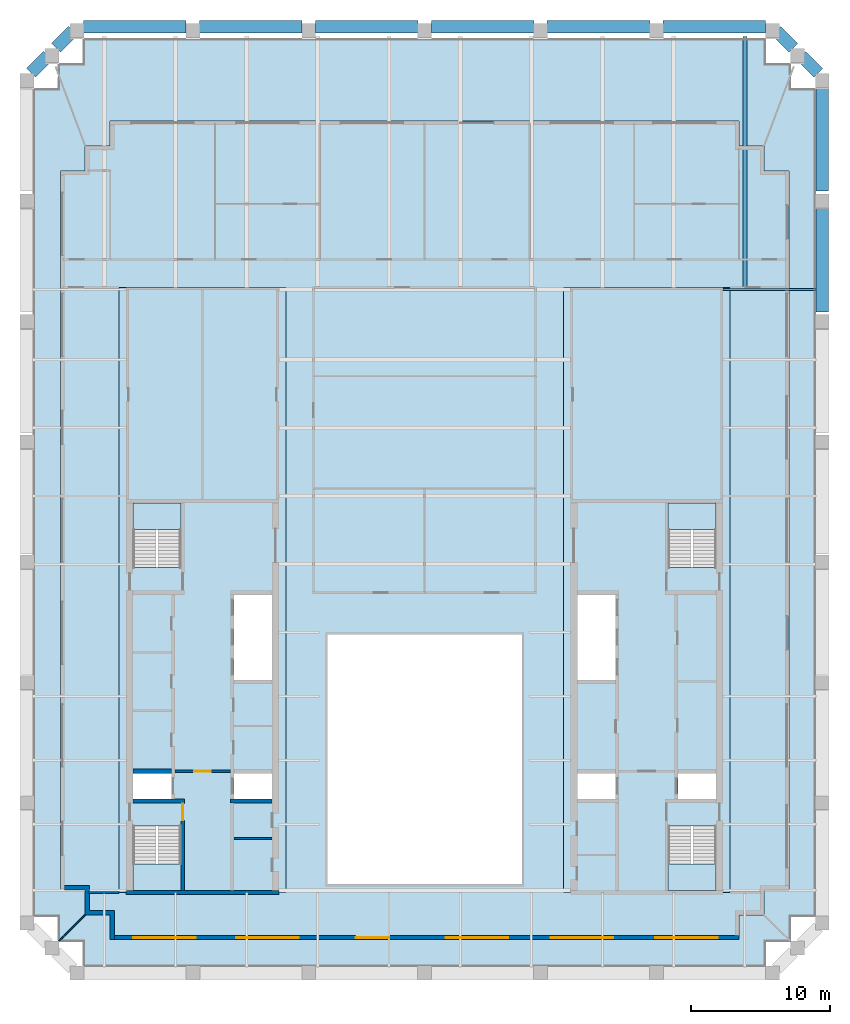
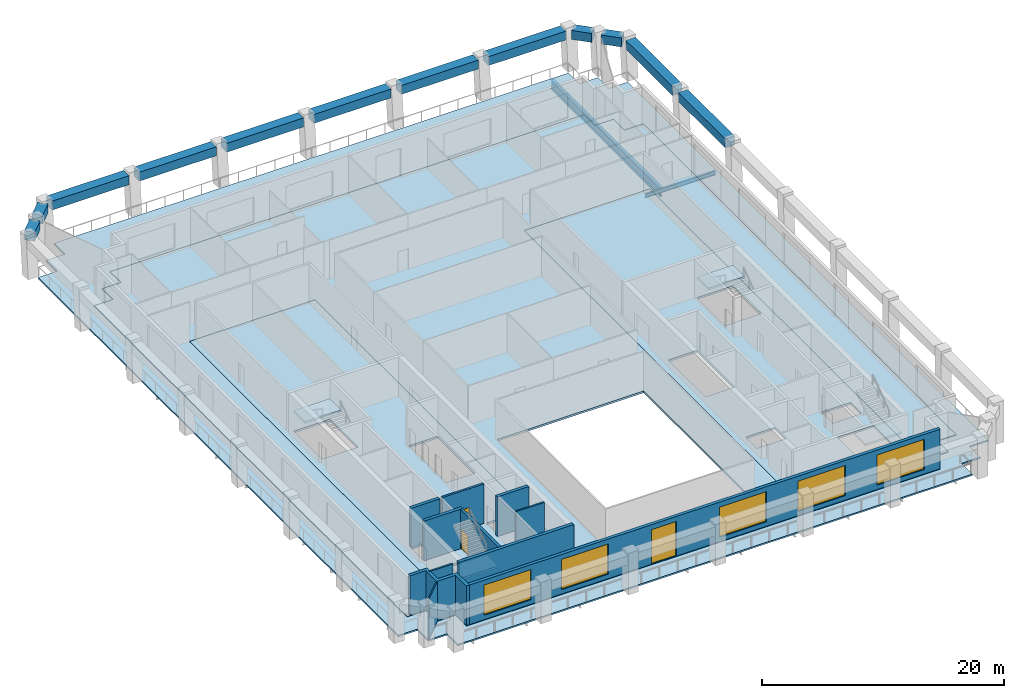
# One storey, part 2 of 9: 14 beams, 11 walls, 8 slabs, 5 windows, 3 doors, 8 openings, 4 elements without a shape of their own.
"""IFC4 building model written with IfcOpenShell, lengths in metres."""

import ifcopenshell
import ifcopenshell.guid

model = None  # the IFC model being written
_history = None  # IfcOwnerHistory: only IFC2X3 demands one
_inside = {}  # id of a spatial element -> (the spatial element, [elements in it])
_under = {}  # id of a project, library or spatial element -> (it, [spatial elements below it])
_declared = {}  # id of a project -> (the project, [libraries it declares])
_typed = {}  # id of a type object -> (the type object, [elements of that type])
_made_of = {}  # id of a material, layer set ... -> (it, [elements and type objects made of it])


def new_model(schema):
    """Start an empty IFC model of exactly this schema.

    Asked for "IFC4X3", IfcOpenShell would pick the latest addendum, in which some entities
    have other attributes; the version numbers below select the first issue.
    IFC2X3 requires an IfcOwnerHistory on every rooted entity: one is made here for all.
    """
    global model, _history
    if schema == "IFC4X3":
        model = ifcopenshell.file(schema_version=(4, 3, 0, 0))
    else:
        model = ifcopenshell.file(schema=schema)
    _inside.clear()
    _under.clear()
    _declared.clear()
    _typed.clear()
    _made_of.clear()
    _history = None
    if model.schema == "IFC2X3":
        org = make("IfcOrganization", Name="unknown")
        user = make(
            "IfcPersonAndOrganization",
            ThePerson=make("IfcPerson", FamilyName="unknown"),
            TheOrganization=org,
        )
        app = make(
            "IfcApplication",
            ApplicationDeveloper=org,
            Version="unknown",
            ApplicationFullName="unknown",
            ApplicationIdentifier="unknown",
        )
        _history = make(
            "IfcOwnerHistory",
            OwningUser=user,
            OwningApplication=app,
            ChangeAction="ADDED",
            CreationDate=0,
        )
    return model


def make(cls, **values):
    """One entity of the class cls with the attributes given. An attribute that is None is left unset."""
    return model.create_entity(
        cls, **{name: value for name, value in values.items() if value is not None}
    )


def rooted(cls, **values):
    """An entity with a GlobalId (a new one), such as an element, a storey or a relation."""
    return make(cls, GlobalId=ifcopenshell.guid.new(), OwnerHistory=_history, **values)


def si_unit(unit_type, name, prefix=None):
    """IfcSIUnit, for example si_unit("LENGTHUNIT", "METRE", prefix="MILLI")."""
    return make("IfcSIUnit", UnitType=unit_type, Prefix=prefix, Name=name)


def assignment(units):
    """IfcUnitAssignment: the units of a project."""
    return None if units is None else make("IfcUnitAssignment", Units=units)


def point(xyz):
    """IfcCartesianPoint."""
    return None if xyz is None else make("IfcCartesianPoint", Coordinates=xyz)


def direction(xyz):
    """IfcDirection."""
    return None if xyz is None else make("IfcDirection", DirectionRatios=xyz)


def frame(location, z_axis=None, x_axis=None):
    """IfcAxis2Placement3D, a coordinate frame: its origin and axes. An axis left out is left unset."""
    return make(
        "IfcAxis2Placement3D",
        Location=point(location),
        Axis=direction(z_axis),
        RefDirection=direction(x_axis),
    )


def frame_2d(location, x_axis=None):
    """IfcAxis2Placement2D, a coordinate frame in the plane: its origin and x axis."""
    return make(
        "IfcAxis2Placement2D", Location=point(location), RefDirection=direction(x_axis)
    )


def origin():
    """The frame at (0, 0, 0) with its axes left unset."""
    return frame((0.0, 0.0, 0.0))


def origin_2d():
    """The frame at (0, 0) in the plane with its x axis left unset."""
    return frame_2d((0.0, 0.0))


def place(relative_to, where):
    """IfcLocalPlacement: puts the frame where relative to a parent placement (None: the world)."""
    return make(
        "IfcLocalPlacement", PlacementRelTo=relative_to, RelativePlacement=where
    )


def context(
    kind, dimensions, precision=None, world=None, true_north=None, identifier=None
):
    """IfcGeometricRepresentationContext, for example the 3D "Model" context."""
    return make(
        "IfcGeometricRepresentationContext",
        ContextIdentifier=identifier,
        ContextType=kind,
        CoordinateSpaceDimension=dimensions,
        Precision=precision,
        WorldCoordinateSystem=world,
        TrueNorth=true_north,
    )


def subcontext(parent, identifier, kind, view, scale=None):
    """IfcGeometricRepresentationSubContext, for example "Body" below "Model"."""
    return make(
        "IfcGeometricRepresentationSubContext",
        ContextIdentifier=identifier,
        ContextType=kind,
        ParentContext=parent,
        TargetScale=scale,
        TargetView=view,
    )


def project(units=None, contexts=None):
    """IfcProject with its units and contexts."""
    return rooted(
        "IfcProject",
        Name="project",
        RepresentationContexts=contexts,
        UnitsInContext=assignment(units),
    )


def spatial(cls, under=None, at=None, **own):
    """A site, building, storey or space (cls), placed at a placement, below another one or the project."""
    s = rooted(cls, ObjectPlacement=at, **own)
    if under is not None:
        _under.setdefault(under.id(), (under, []))[1].append(s)
    return s


def polyline(points):
    """IfcPolyline through the points."""
    return make("IfcPolyline", Points=[point(p) for p in points])


def profile(cls, at=None, kind="AREA", **sizes):
    """A parametric profile (cls). Its sizes go by their IFC names, for example OverallWidth=200.0."""
    return make(cls, ProfileType=kind, Position=at, **sizes)


def rectangle(**sizes):
    """IfcRectangleProfileDef."""
    return profile("IfcRectangleProfileDef", **sizes)


def i_section(**sizes):
    """IfcIShapeProfileDef."""
    return profile("IfcIShapeProfileDef", **sizes)


def outline(outer, holes=None, kind="AREA"):
    """IfcArbitraryClosedProfileDef: a profile drawn as a closed curve; with holes, ...WithVoids."""
    if holes is None:
        return make("IfcArbitraryClosedProfileDef", ProfileType=kind, OuterCurve=outer)
    return make(
        "IfcArbitraryProfileDefWithVoids",
        ProfileType=kind,
        OuterCurve=outer,
        InnerCurves=holes,
    )


def extrude(swept, where, along, depth):
    """IfcExtrudedAreaSolid: the profile swept, set in the frame where, extruded along a direction by depth."""
    return make(
        "IfcExtrudedAreaSolid",
        SweptArea=swept,
        Position=where,
        ExtrudedDirection=direction(along),
        Depth=depth,
    )


def shape(context_of_items, identifier, shape_type, items):
    """IfcShapeRepresentation: the items that make up one representation, for example the "Body"."""
    return make(
        "IfcShapeRepresentation",
        ContextOfItems=context_of_items,
        RepresentationIdentifier=identifier,
        RepresentationType=shape_type,
        Items=items,
    )


def material(Name=None, Category=None):
    """IfcMaterial."""
    return make("IfcMaterial", Name=Name, Category=Category)


def layer(
    of_material, thickness, ventilated=None, Name=None, Category=None, Priority=None
):
    """IfcMaterialLayer: one layer of a wall or slab, of a material (None: an air gap)."""
    return make(
        "IfcMaterialLayer",
        Material=of_material,
        LayerThickness=thickness,
        IsVentilated=ventilated,
        Name=Name,
        Category=Category,
        Priority=Priority,
    )


def layer_set(layers, Name=None):
    """IfcMaterialLayerSet."""
    return make("IfcMaterialLayerSet", MaterialLayers=layers, LayerSetName=Name)


def material_profile(
    of_material, cross_section, Name=None, Category=None, Priority=None
):
    """IfcMaterialProfile: a cross section and its material."""
    return make(
        "IfcMaterialProfile",
        Name=Name,
        Material=of_material,
        Profile=cross_section,
        Priority=Priority,
        Category=Category,
    )


def profile_set(profiles, Name=None, composite=None):
    """IfcMaterialProfileSet."""
    return make(
        "IfcMaterialProfileSet",
        Name=Name,
        MaterialProfiles=profiles,
        CompositeProfile=composite,
    )


def made_of(thing, what):
    """Note that an element or type object is made of a material, layer set ...; save() writes the relation."""
    if what is not None:
        _made_of.setdefault(what.id(), (what, []))[1].append(thing)
    return thing


def type_object(cls, material=None, **own):
    """A type object (cls), such as IfcWallType, which elements share."""
    return made_of(rooted(cls, **own), material)


def element(
    cls,
    number,
    at=None,
    inside=None,
    cuts=None,
    type_object=None,
    material=None,
    context=None,
    identifier="Body",
    shape_type=None,
    held_by="IfcProductDefinitionShape",
    body=None,
    shapes=None,
    **own,
):
    """One element of the class cls, such as IfcWall. Its Tag is "e" and its number.

    at: its placement. inside: the storey or other place that contains it. cuts: it is an
    opening in that element (IfcRelVoidsElement). A single representation is given by context,
    identifier, shape_type and body (its items); several are given by shapes. held_by: the class
    of the entity that holds the representations. save() writes the other relations.
    """
    e = rooted(cls, Tag="e%d" % number, ObjectPlacement=at, **own)
    if body is not None:
        shapes = [shape(context, identifier, shape_type, body)]
    if shapes is not None:
        e.Representation = make(held_by, Representations=shapes)
    if inside is not None:
        _inside.setdefault(inside.id(), (inside, []))[1].append(e)
    if cuts is not None:
        rooted(
            "IfcRelVoidsElement", RelatingBuildingElement=cuts, RelatedOpeningElement=e
        )
    if type_object is not None:
        _typed.setdefault(type_object.id(), (type_object, []))[1].append(e)
    return made_of(e, material)


def fill(opening, filler):
    """IfcRelFillsElement: the door or window that sits in an opening."""
    return rooted(
        "IfcRelFillsElement",
        RelatingOpeningElement=opening,
        RelatedBuildingElement=filler,
    )


def aggregate(whole, parts):
    """IfcRelAggregates: a whole, such as a stair, and the parts it consists of."""
    return rooted("IfcRelAggregates", RelatingObject=whole, RelatedObjects=parts)


def save(model, path):
    """Write the relations noted so far, then the file.

    IfcRelAggregates (storeys below a building ...), IfcRelContainedInSpatialStructure (elements
    in a storey), IfcRelDefinesByType, IfcRelAssociatesMaterial and IfcRelDeclares: one each for
    every whole, place, type object, material and project.
    """
    for whole, parts in _under.values():
        aggregate(whole, parts)
    for where, things in _inside.values():
        rooted(
            "IfcRelContainedInSpatialStructure",
            RelatedElements=things,
            RelatingStructure=where,
        )
    for kind, things in _typed.values():
        rooted("IfcRelDefinesByType", RelatedObjects=things, RelatingType=kind)
    for what, things in _made_of.values():
        rooted("IfcRelAssociatesMaterial", RelatedObjects=things, RelatingMaterial=what)
    for by, libraries in _declared.values():
        rooted("IfcRelDeclares", RelatingContext=by, RelatedDefinitions=libraries)
    model.write(path)


model = new_model("IFC4")

# Units and contexts
model_context = context("Model", 3, precision=1e-05, world=origin(), true_north=direction((0.0, 1.0)))
body_context = subcontext(model_context, "Body", "Model", "MODEL_VIEW")
ifc_project = project(units=[si_unit("LENGTHUNIT", "METRE"), si_unit("AREAUNIT", "SQUARE_METRE"), si_unit("VOLUMEUNIT", "CUBIC_METRE"), si_unit("PLANEANGLEUNIT", "RADIAN"), si_unit("MASSUNIT", "GRAM", prefix="KILO")], contexts=[model_context])

# Site, building, storey
site_placement = place(None, origin())
site = spatial("IfcSite", under=ifc_project, at=site_placement, CompositionType="ELEMENT")
building_placement = place(site_placement, origin())
building = spatial("IfcBuilding", under=site, at=building_placement, Name="Ogive Exchange Tower", CompositionType="ELEMENT")
storey_placement = place(building_placement, frame((0.0, 0.0, 346.800048828125)))
storey = spatial("IfcBuildingStorey", under=building, at=storey_placement, Name="L76", CompositionType="ELEMENT", Elevation=346.800048828125)

# Beams
ifc_material_1 = material(Name="Steel ASTM A992 Gr50", Category="steel")
ifc_material_profile_1 = material_profile(ifc_material_1, i_section(OverallWidth=0.304931640625, OverallDepth=0.904052734375, WebThickness=0.01513671875, FlangeThickness=0.02001953125, at=origin_2d()), Name="W920x201")
ifc_profile_set_1 = profile_set([ifc_material_profile_1], Name="Steel ASTM A992 Gr50")
beam_type_1 = type_object("IfcBeamType", Name="Floor beam W920x201", PredefinedType="JOIST", material=ifc_profile_set_1)
beam_1_placement = place(storey_placement, frame((23.07275390625, 40.93408203125, -0.652099609375), z_axis=(0.0, 1.0, 0.0), x_axis=(-1.0, 0.0, 0.0)))
element("IfcBeam", 1, at=beam_1_placement, inside=storey, type_object=beam_type_1, Name="Floor beam", PredefinedType="JOIST", context=body_context, shape_type="SweptSolid", body=[
    extrude(i_section(OverallWidth=0.304931640625, OverallDepth=0.904052734375, WebThickness=0.01513671875, FlangeThickness=0.02001953125, at=origin_2d()), origin(), (0.0, 0.0, 1.0), 18.147705078125),
])
ifc_material_profile_2 = material_profile(ifc_material_1, i_section(OverallWidth=0.177978515625, OverallDepth=0.406005859375, WebThickness=0.0078125, FlangeThickness=0.0126953125, at=origin_2d()), Name="W410x60")
ifc_profile_set_2 = profile_set([ifc_material_profile_2], Name="Steel ASTM A992 Gr50")
beam_type_2 = type_object("IfcBeamType", Name="Girder W410x60", PredefinedType="BEAM", material=ifc_profile_set_2)
beam_2_placement = place(storey_placement, frame((21.47998046875, 40.844970703125, -0.403076171875), z_axis=(1.0, 0.0, 0.0), x_axis=(0.0, 1.0, 0.0)))
element("IfcBeam", 2, at=beam_2_placement, inside=storey, type_object=beam_type_2, Name="Header girder", PredefinedType="BEAM", context=body_context, shape_type="SweptSolid", body=[
    extrude(i_section(OverallWidth=0.177978515625, OverallDepth=0.406005859375, WebThickness=0.0078125, FlangeThickness=0.0126953125, at=origin_2d()), origin(), (0.0, 0.0, 1.0), 6.719970703125),
])
ifc_material_2 = material(Name="Precast concrete C70/85 (limestone faced)", Category="masonry")
ifc_material_profile_3 = material_profile(ifc_material_2, rectangle(XDim=0.89990234375, YDim=0.89990234375, at=origin_2d()), Name="900 x 900")
ifc_profile_set_3 = profile_set([ifc_material_profile_3], Name="Precast concrete C70/85 (limestone faced)")
beam_type_3 = type_object("IfcBeamType", Name="Precast spandrel 900 x 900 C70/85", PredefinedType="SPANDREL", material=ifc_profile_set_3)
for number, where, z_axis, x_axis, name in (
    (3, (28.64990234375, 39.2255859375, 3.5), (0.0, 1.0, 0.0), (-1.0, 0.0, 0.0), "Spandrel 14"),
    (4, (28.64990234375, 47.9345703125, 3.5), (0.0, 1.0, 0.0), (-1.0, 0.0, 0.0), "Spandrel 15"),
):
    element("IfcBeam", number, at=place(storey_placement, frame(where, z_axis=z_axis, x_axis=x_axis)), inside=storey, type_object=beam_type_3, Name=name, PredefinedType="SPANDREL", context=body_context, shape_type="SweptSolid", body=[
        extrude(rectangle(XDim=0.89990234375, YDim=0.89990234375, at=origin_2d()), origin(), (0.0, 0.0, 1.0), 7.7490234375),
    ])
for number, where, z_axis, x_axis, name in (
    (5, (28.362060546875, 56.451416015625, 3.5), (-0.707036271462, 0.707177283881, 0.0), (-0.707177283881, -0.707036271462, 0.0), "Spandrel 16"),
    (6, (26.56201171875, 58.25146484375, 3.5), (-0.707036271462, 0.707177283881, 0.0), (-0.707177283881, -0.707036271462, 0.0), "Spandrel 17"),
):
    element("IfcBeam", number, at=place(storey_placement, frame(where, z_axis=z_axis, x_axis=x_axis)), inside=storey, type_object=beam_type_3, Name=name, PredefinedType="SPANDREL", context=body_context, shape_type="SweptSolid", body=[
        extrude(rectangle(XDim=0.89990234375, YDim=0.89990234375, at=origin_2d()), origin(), (0.0, 0.0, 1.0), 1.7314453125),
    ])
beam_3_placement = place(storey_placement, frame((24.570068359375, 59.763671875, 3.5), z_axis=(-1.0, 0.0, 0.0), x_axis=(0.0, -1.0, 0.0)))
element("IfcBeam", 7, at=beam_3_placement, inside=storey, type_object=beam_type_3, Name="Spandrel 18", PredefinedType="SPANDREL", context=body_context, shape_type="SweptSolid", body=[
    extrude(rectangle(XDim=0.89990234375, YDim=0.89990234375, at=origin_2d()), origin(), (0.0, 0.0, 1.0), 7.39013671875),
])
beam_4_placement = place(storey_placement, frame((16.219970703125, 59.763671875, 3.5), z_axis=(-1.0, 0.0, 0.0), x_axis=(0.0, -1.0, 0.0)))
element("IfcBeam", 8, at=beam_4_placement, inside=storey, type_object=beam_type_3, Name="Spandrel 19", PredefinedType="SPANDREL", context=body_context, shape_type="SweptSolid", body=[
    extrude(rectangle(XDim=0.89990234375, YDim=0.89990234375, at=origin_2d()), origin(), (0.0, 0.0, 1.0), 7.389892578125),
])
for number, where, z_axis, x_axis, name in (
    (9, (7.8701171875, 59.763671875, 3.5), (-1.0, 0.0, 0.0), (0.0, -1.0, 0.0), "Spandrel 20"),
    (10, (-0.47998046875, 59.763671875, 3.5), (-1.0, 0.0, 0.0), (0.0, -1.0, 0.0), "Spandrel 21"),
):
    element("IfcBeam", number, at=place(storey_placement, frame(where, z_axis=z_axis, x_axis=x_axis)), inside=storey, type_object=beam_type_3, Name=name, PredefinedType="SPANDREL", context=body_context, shape_type="SweptSolid", body=[
        extrude(rectangle(XDim=0.89990234375, YDim=0.89990234375, at=origin_2d()), origin(), (0.0, 0.0, 1.0), 7.39013671875),
    ])
beam_5_placement = place(storey_placement, frame((-8.830078125, 59.763671875, 3.5), z_axis=(-1.0, 0.0, 0.0), x_axis=(0.0, -1.0, 0.0)))
element("IfcBeam", 11, at=beam_5_placement, inside=storey, type_object=beam_type_3, Name="Spandrel 22", PredefinedType="SPANDREL", context=body_context, shape_type="SweptSolid", body=[
    extrude(rectangle(XDim=0.89990234375, YDim=0.89990234375, at=origin_2d()), origin(), (0.0, 0.0, 1.0), 7.389892578125),
])
beam_6_placement = place(storey_placement, frame((-17.179931640625, 59.763671875, 3.5), z_axis=(-1.0, 0.0, 0.0), x_axis=(0.0, -1.0, 0.0)))
element("IfcBeam", 12, at=beam_6_placement, inside=storey, type_object=beam_type_3, Name="Spandrel 23", PredefinedType="SPANDREL", context=body_context, shape_type="SweptSolid", body=[
    extrude(rectangle(XDim=0.89990234375, YDim=0.89990234375, at=origin_2d()), origin(), (0.0, 0.0, 1.0), 7.39013671875),
])
for number, where, z_axis, x_axis, name in (
    (13, (-25.337890625, 59.475830078125, 3.5), (-0.707036271462, -0.707177283881, 0.0), (0.707177283881, -0.707036271462, 0.0), "Spandrel 24"),
    (14, (-27.137939453125, 57.67578125, 3.5), (-0.707036271462, -0.707177283881, 0.0), (0.707177283881, -0.707036271462, 0.0), "Spandrel 25"),
):
    element("IfcBeam", number, at=place(storey_placement, frame(where, z_axis=z_axis, x_axis=x_axis)), inside=storey, type_object=beam_type_3, Name=name, PredefinedType="SPANDREL", context=body_context, shape_type="SweptSolid", body=[
        extrude(rectangle(XDim=0.89990234375, YDim=0.89990234375, at=origin_2d()), origin(), (0.0, 0.0, 1.0), 1.7314453125),
    ])

# Slabs
ifc_material_3 = material(Name="Concrete C50/60", Category="concrete")
ifc_layer_1 = layer(ifc_material_3, 0.199951171875)
ifc_layer_set_1 = layer_set([ifc_layer_1], Name="Composite floor slab 200")
slab_type_1 = type_object("IfcSlabType", Name="Composite floor slab 200", PredefinedType="FLOOR", material=ifc_layer_set_1)
slab_1_placement = place(storey_placement, frame((0.0, 0.0, -0.199951171875)))
element("IfcSlab", 15, at=slab_1_placement, inside=storey, type_object=slab_type_1, Name="Composite floor slab", PredefinedType="FLOOR", context=body_context, shape_type="SweptSolid", body=[
    extrude(outline(polyline([(-22.64990234375, -4.199951171875), (-24.449951171875, -4.199951171875), (-24.449951171875, -2.39990234375), (-26.25, -2.39990234375), (-26.25, 49.39990234375), (-24.449951171875, 49.39990234375), (-24.449951171875, 51.199951171875), (-22.64990234375, 51.199951171875), (-22.64990234375, 53.0), (22.64990234375, 53.0), (22.64990234375, 51.199951171875), (24.449951171875, 51.199951171875), (24.449951171875, 49.39990234375), (26.25, 49.39990234375), (26.25, -2.39990234375), (24.449951171875, -2.39990234375), (24.449951171875, -4.199951171875), (22.64990234375, -4.199951171875), (22.64990234375, -6.0), (-22.64990234375, -6.0), (-22.64990234375, -4.199951171875)]), holes=[polyline([(7.0, -2.0), (7.0, 16.0), (-7.0, 16.0), (-7.0, -2.0), (7.0, -2.0)]), polyline([(-22.0, -2.60009765625), (-10.0, -2.60009765625), (-10.0, 41.0), (-22.0, 41.0), (-22.0, -2.60009765625)]), polyline([(10.0, -2.60009765625), (22.0, -2.60009765625), (22.0, 41.0), (10.0, 41.0), (10.0, -2.60009765625)])]), origin(), (0.0, 0.0, 1.0), 0.199951171875),
])
ifc_material_4 = material(Name="Concrete C70/85", Category="concrete")
ifc_layer_2 = layer(ifc_material_4, 0.199951171875)
ifc_layer_set_2 = layer_set([ifc_layer_2], Name="Core floor slab 200")
slab_type_2 = type_object("IfcSlabType", Name="Core floor slab 200", PredefinedType="FLOOR", material=ifc_layer_set_2)
slab_2_placement = place(storey_placement, frame((0.0, 0.0, -0.199951171875)))
element("IfcSlab", 16, at=slab_2_placement, inside=storey, type_object=slab_type_2, Name="Core floor slab", PredefinedType="FLOOR", context=body_context, shape_type="SweptSolid", body=[
    extrude(outline(polyline([(-22.0, -2.60009765625), (-22.0, 41.0), (-10.0, 41.0), (-10.0, -2.60009765625), (-22.0, -2.60009765625)]), holes=[polyline([(-17.550048828125, 2.196044921875), (-21.0, 2.196044921875), (-21.0, -2.449951171875), (-17.550048828125, -2.449951171875), (-17.550048828125, 2.196044921875)]), polyline([(-21.0, 5.992919921875), (-21.0, 4.14990234375), (-18.25, 4.14990234375), (-18.25, 5.992919921875), (-21.0, 5.992919921875)]), polyline([(-13.75, 5.992919921875), (-13.75, 4.14990234375), (-11.0, 4.14990234375), (-11.0, 5.992919921875), (-13.75, 5.992919921875)]), polyline([(-11.0, 18.85009765625), (-13.75, 18.85009765625), (-13.75, 12.721435546875), (-11.0, 12.721435546875), (-11.0, 18.85009765625)]), polyline([(-21.0, 25.449951171875), (-21.0, 20.803955078125), (-17.550048828125, 20.803955078125), (-17.550048828125, 25.449951171875), (-21.0, 25.449951171875)])]), origin(), (0.0, 0.0, 1.0), 0.199951171875),
])
slab_3_placement = place(storey_placement, frame((0.0, 0.0, -0.199951171875)))
element("IfcSlab", 17, at=slab_3_placement, inside=storey, type_object=slab_type_2, Name="Core floor slab", PredefinedType="FLOOR", context=body_context, shape_type="SweptSolid", body=[
    extrude(outline(polyline([(10.0, -2.60009765625), (10.0, 41.0), (22.0, 41.0), (22.0, -2.60009765625), (10.0, -2.60009765625)]), holes=[polyline([(21.0, 2.196044921875), (17.550048828125, 2.196044921875), (17.550048828125, -2.449951171875), (21.0, -2.449951171875), (21.0, 2.196044921875)]), polyline([(11.0, 5.992919921875), (11.0, 4.14990234375), (13.75, 4.14990234375), (13.75, 5.992919921875), (11.0, 5.992919921875)]), polyline([(18.25, 5.992919921875), (18.25, 4.14990234375), (21.0, 4.14990234375), (21.0, 5.992919921875), (18.25, 5.992919921875)]), polyline([(13.75, 18.85009765625), (11.0, 18.85009765625), (11.0, 12.721435546875), (13.75, 12.721435546875), (13.75, 18.85009765625)]), polyline([(17.550048828125, 25.449951171875), (17.550048828125, 20.803955078125), (21.0, 20.803955078125), (21.0, 25.449951171875), (17.550048828125, 25.449951171875)])]), origin(), (0.0, 0.0, 1.0), 0.199951171875),
])
ifc_layer_3 = layer(ifc_material_3, 0.14990234375)
ifc_layer_set_3 = layer_set([ifc_layer_3], Name="Loggia deck 150")
slab_type_3 = type_object("IfcSlabType", Name="Loggia deck 150", PredefinedType="FLOOR", material=ifc_layer_set_3)
slab_4_placement = place(storey_placement, frame((0.0, 0.0, -0.199951171875)))
element("IfcSlab", 18, at=slab_4_placement, inside=storey, type_object=slab_type_3, Name="Loggia deck", PredefinedType="FLOOR", context=body_context, shape_type="SweptSolid", body=[
    extrude(outline(polyline([(-24.60009765625, -6.14990234375), (-26.39990234375, -6.14990234375), (-26.39990234375, -4.35009765625), (-28.199951171875, -4.35009765625), (-28.199951171875, 55.331787109375), (-26.39990234375, 55.331787109375), (-26.39990234375, 57.1318359375), (-24.60009765625, 57.1318359375), (-24.60009765625, 58.931884765625), (24.60009765625, 58.931884765625), (24.60009765625, 57.1318359375), (26.39990234375, 57.1318359375), (26.39990234375, 55.331787109375), (28.199951171875, 55.331787109375), (28.199951171875, -4.35009765625), (26.39990234375, -4.35009765625), (26.39990234375, -6.14990234375), (24.60009765625, -6.14990234375), (24.60009765625, -7.949951171875), (-24.60009765625, -7.949951171875), (-24.60009765625, -6.14990234375)]), holes=[polyline([(22.64990234375, -4.199951171875), (24.449951171875, -4.199951171875), (24.449951171875, -2.39990234375), (26.25, -2.39990234375), (26.25, 49.39990234375), (24.449951171875, 49.39990234375), (24.449951171875, 51.199951171875), (22.64990234375, 51.199951171875), (22.64990234375, 53.0), (-22.64990234375, 53.0), (-22.64990234375, 51.199951171875), (-24.449951171875, 51.199951171875), (-24.449951171875, 49.39990234375), (-26.25, 49.39990234375), (-26.25, -2.39990234375), (-24.449951171875, -2.39990234375), (-24.449951171875, -4.199951171875), (-22.64990234375, -4.199951171875), (-22.64990234375, -6.0), (22.64990234375, -6.0), (22.64990234375, -4.199951171875)])]), origin(), (0.0, 0.0, 1.0), 0.14990234375),
])

# Stair, slab
ifc_material_5 = material(Name="Concrete C40/50", Category="concrete")
stair_type = type_object("IfcStairType", Name="Exit stair 1650 wide", PredefinedType="HALF_TURN_STAIR", material=ifc_material_5)
stair_1_placement = place(storey_placement, origin())
stair_1 = element("IfcStair", 19, at=stair_1_placement, inside=storey, type_object=stair_type, Name="L76 exit stair ST1", PredefinedType="HALF_TURN_STAIR")
ifc_layer_4 = layer(ifc_material_5, 0.199951171875)
ifc_layer_set_4 = layer_set([ifc_layer_4], Name="Stair landing 200 slab")
slab_type_4 = type_object("IfcSlabType", Name="Stair landing 200 slab", PredefinedType="LANDING", material=ifc_layer_set_4)
slab_5_placement = place(storey_placement, frame((0.0, 0.0, 1.89990234375)))
slab_5 = element("IfcSlab", 20, at=slab_5_placement, type_object=slab_type_4, Name="ST1 landing 1", PredefinedType="LANDING", context=body_context, shape_type="SweptSolid", body=[
    extrude(outline(polyline([(-21.0, -0.550048828125), (-21.0, -2.449951171875), (-17.550048828125, -2.449951171875), (-17.550048828125, -0.550048828125), (-21.0, -0.550048828125)])), origin(), (0.0, 0.0, 1.0), 0.199951171875),
])
aggregate(stair_1, [slab_5])

stair_2_placement = place(storey_placement, origin())
stair_2 = element("IfcStair", 21, at=stair_2_placement, inside=storey, type_object=stair_type, Name="L76 exit stair ST2", PredefinedType="HALF_TURN_STAIR")
slab_6_placement = place(storey_placement, frame((0.0, 0.0, 1.89990234375)))
slab_6 = element("IfcSlab", 22, at=slab_6_placement, type_object=slab_type_4, Name="ST2 landing 1", PredefinedType="LANDING", context=body_context, shape_type="SweptSolid", body=[
    extrude(outline(polyline([(-17.550048828125, 23.550048828125), (-17.550048828125, 25.449951171875), (-21.0, 25.449951171875), (-21.0, 23.550048828125), (-17.550048828125, 23.550048828125)])), origin(), (0.0, 0.0, 1.0), 0.199951171875),
])
aggregate(stair_2, [slab_6])

stair_3_placement = place(storey_placement, origin())
stair_3 = element("IfcStair", 23, at=stair_3_placement, inside=storey, type_object=stair_type, Name="L76 exit stair ST3", PredefinedType="HALF_TURN_STAIR")
slab_7_placement = place(storey_placement, frame((0.0, 0.0, 1.89990234375)))
slab_7 = element("IfcSlab", 24, at=slab_7_placement, type_object=slab_type_4, Name="ST3 landing 1", PredefinedType="LANDING", context=body_context, shape_type="SweptSolid", body=[
    extrude(outline(polyline([(17.550048828125, -0.550048828125), (17.550048828125, -2.449951171875), (21.0, -2.449951171875), (21.0, -0.550048828125), (17.550048828125, -0.550048828125)])), origin(), (0.0, 0.0, 1.0), 0.199951171875),
])
aggregate(stair_3, [slab_7])

stair_4_placement = place(storey_placement, origin())
stair_4 = element("IfcStair", 25, at=stair_4_placement, inside=storey, type_object=stair_type, Name="L76 exit stair ST4", PredefinedType="HALF_TURN_STAIR")
slab_8_placement = place(storey_placement, frame((0.0, 0.0, 1.89990234375)))
slab_8 = element("IfcSlab", 26, at=slab_8_placement, type_object=slab_type_4, Name="ST4 landing 1", PredefinedType="LANDING", context=body_context, shape_type="SweptSolid", body=[
    extrude(outline(polyline([(21.0, 23.550048828125), (21.0, 25.449951171875), (17.550048828125, 25.449951171875), (17.550048828125, 23.550048828125), (21.0, 23.550048828125)])), origin(), (0.0, 0.0, 1.0), 0.199951171875),
])
aggregate(stair_4, [slab_8])

# Walls
ifc_material_6 = material(Name="Gypsum board partition")
ifc_layer_5 = layer(ifc_material_6, 0.14990234375)
ifc_layer_set_5 = layer_set([ifc_layer_5], Name="Core room partition 150 gypsum")
wall_type_1 = type_object("IfcWallType", Name="Core room partition 150 gypsum", PredefinedType="PARTITIONING", material=ifc_layer_set_5)
wall_1_placement = place(storey_placement, frame((-13.75, 1.300048828125, 0.0), z_axis=(0.0, 0.0, 1.0), x_axis=(1.0, 0.0, 0.0)))
element("IfcWall", 27, at=wall_1_placement, inside=storey, type_object=wall_type_1, Name="W south room partition", PredefinedType="PARTITIONING", context=body_context, shape_type="SweptSolid", body=[
    extrude(rectangle(XDim=2.75, YDim=0.14990234375, at=frame_2d((1.375, 0.0))), origin(), (0.0, 0.0, 1.0), 4.0),
])
ifc_material_7 = material(Name="Fire partition EI 60 150")
ifc_layer_6 = layer(ifc_material_7, 0.14990234375)
ifc_layer_set_6 = layer_set([ifc_layer_6], Name="Fire partition EI 60 150")
wall_type_2 = type_object("IfcWallType", Name="Fire partition EI 60 150", PredefinedType="PARTITIONING", material=ifc_layer_set_6)
wall_2_placement = place(storey_placement, frame((-24.25, -2.60009765625, 0.0), z_axis=(0.0, 0.0, 1.0), x_axis=(1.0, 0.0, 0.0)))
element("IfcWall", 28, at=wall_2_placement, inside=storey, type_object=wall_type_2, Name="L76-PWL-002", PredefinedType="PARTITIONING", context=body_context, shape_type="SweptSolid", body=[
    extrude(rectangle(XDim=2.25, YDim=0.14990234375, at=frame_2d((1.125, 0.0))), origin(), (0.0, 0.0, 1.0), 4.0),
])

# Wall, openings, door, windows
ifc_material_8 = material(Name="Precast concrete C40/50", Category="concrete")
ifc_layer_7 = layer(ifc_material_8, 0.300048828125)
ifc_layer_set_7 = layer_set([ifc_layer_7], Name="Limestone-faced wall 300")
wall_type_3 = type_object("IfcWallType", Name="Limestone-faced wall 300", PredefinedType="STANDARD", material=ifc_layer_set_7)
wall_3_placement = place(storey_placement, frame((-22.35009765625, -5.85009765625, 0.0), z_axis=(0.0, 0.0, 1.0), x_axis=(1.0, 0.0, 0.0)))
wall_3 = element("IfcWall", 29, at=wall_3_placement, inside=storey, type_object=wall_type_3, Name="External wall S1", PredefinedType="STANDARD", context=body_context, shape_type="SweptSolid", body=[
    extrude(rectangle(XDim=45.0, YDim=0.300048828125, at=frame_2d((22.5, 0.0))), origin(), (0.0, 0.0, 1.0), 4.0),
])
opening_1_placement = place(wall_3_placement, frame((1.375, 0.0, 0.449951171875)))
opening_1 = element("IfcOpeningElement", 30, at=opening_1_placement, cuts=wall_3, Name="Opening W1", PredefinedType="OPENING", context=body_context, shape_type="SweptSolid", body=[
    extrude(rectangle(XDim=4.5, YDim=3.050048828125, at=frame_2d((2.25, 1.52490234375))), frame((0.0, 0.159912109375, 0.0), z_axis=(0.0, -1.0, 0.0), x_axis=(1.0, 0.0, 0.0)), (0.0, 0.0, 1.0), 0.320068359375),
])
opening_2_placement = place(wall_3_placement, frame((8.77490234375, 0.0, 0.449951171875)))
opening_2 = element("IfcOpeningElement", 31, at=opening_2_placement, cuts=wall_3, Name="Opening W1", PredefinedType="OPENING", context=body_context, shape_type="SweptSolid", body=[
    extrude(rectangle(XDim=4.5, YDim=3.050048828125, at=frame_2d((2.25, 1.52490234375))), frame((0.0, 0.159912109375, 0.0), z_axis=(0.0, -1.0, 0.0), x_axis=(1.0, 0.0, 0.0)), (0.0, 0.0, 1.0), 0.320068359375),
])
opening_3_placement = place(wall_3_placement, frame((17.375, 0.0, 0.0)))
opening_3 = element("IfcOpeningElement", 32, at=opening_3_placement, cuts=wall_3, Name="Opening D1", PredefinedType="OPENING", context=body_context, shape_type="SweptSolid", body=[
    extrude(rectangle(XDim=2.39990234375, YDim=3.5, at=frame_2d((1.199951171875, 1.75))), frame((0.0, 0.159912109375, 0.0), z_axis=(0.0, -1.0, 0.0), x_axis=(1.0, 0.0, 0.0)), (0.0, 0.0, 1.0), 0.320068359375),
])
opening_4_placement = place(wall_3_placement, frame((23.875, 0.0, 0.449951171875)))
opening_4 = element("IfcOpeningElement", 33, at=opening_4_placement, cuts=wall_3, Name="Opening W1", PredefinedType="OPENING", context=body_context, shape_type="SweptSolid", body=[
    extrude(rectangle(XDim=4.5, YDim=3.050048828125, at=frame_2d((2.25, 1.52490234375))), frame((0.0, 0.159912109375, 0.0), z_axis=(0.0, -1.0, 0.0), x_axis=(1.0, 0.0, 0.0)), (0.0, 0.0, 1.0), 0.320068359375),
])
opening_5_placement = place(wall_3_placement, frame((31.425048828125, 0.0, 0.449951171875)))
opening_5 = element("IfcOpeningElement", 34, at=opening_5_placement, cuts=wall_3, Name="Opening W1", PredefinedType="OPENING", context=body_context, shape_type="SweptSolid", body=[
    extrude(rectangle(XDim=4.5, YDim=3.050048828125, at=frame_2d((2.25, 1.52490234375))), frame((0.0, 0.159912109375, 0.0), z_axis=(0.0, -1.0, 0.0), x_axis=(1.0, 0.0, 0.0)), (0.0, 0.0, 1.0), 0.320068359375),
])
opening_6_placement = place(wall_3_placement, frame((38.97509765625, 0.0, 0.449951171875)))
opening_6 = element("IfcOpeningElement", 35, at=opening_6_placement, cuts=wall_3, Name="Opening W1", PredefinedType="OPENING", context=body_context, shape_type="SweptSolid", body=[
    extrude(rectangle(XDim=4.5, YDim=3.050048828125, at=frame_2d((2.25, 1.52490234375))), frame((0.0, 0.159912109375, 0.0), z_axis=(0.0, -1.0, 0.0), x_axis=(1.0, 0.0, 0.0)), (0.0, 0.0, 1.0), 0.320068359375),
])
ifc_material_9 = material(Name="Clear glass in bronze frame", Category="glass")
door_type_1 = type_object("IfcDoorType", Name="Sliding loggia door 2400 x 3500", OperationType="DOUBLE_DOOR_SLIDING", PredefinedType="DOOR", material=ifc_material_9)
door_1_placement = place(opening_3_placement, origin())
door_1 = element("IfcDoor", 36, at=door_1_placement, inside=storey, type_object=door_type_1, Name="Loggia door S02", OperationType="DOUBLE_DOOR_SLIDING", OverallHeight=3.5, OverallWidth=2.39990234375, PredefinedType="DOOR", context=body_context, shape_type="SweptSolid", body=[
    extrude(rectangle(XDim=2.39990234375, YDim=3.5, at=frame_2d((1.199951171875, 1.75))), frame((0.0, 0.02490234375, 0.0), z_axis=(0.0, -1.0, 0.0), x_axis=(1.0, 0.0, 0.0)), (0.0, 0.0, 1.0), 0.050048828125),
])
fill(opening_3, door_1)
window_type = type_object("IfcWindowType", Name="Twin lancet window 4500 x 3050", PartitioningType="DOUBLE_PANEL_VERTICAL", PredefinedType="WINDOW", material=ifc_material_9)
window_1_placement = place(opening_1_placement, origin())
window_1 = element("IfcWindow", 37, at=window_1_placement, inside=storey, type_object=window_type, Name="Window S00", OverallHeight=3.050048828125, OverallWidth=4.5, PartitioningType="DOUBLE_PANEL_VERTICAL", PredefinedType="WINDOW", context=body_context, shape_type="SweptSolid", body=[
    extrude(rectangle(XDim=4.5, YDim=3.050048828125, at=frame_2d((2.25, 1.52490234375))), frame((0.0, 0.030029296875, 0.0), z_axis=(0.0, -1.0, 0.0), x_axis=(1.0, 0.0, 0.0)), (0.0, 0.0, 1.0), 0.06005859375),
])
fill(opening_1, window_1)
window_2_placement = place(opening_2_placement, origin())
window_2 = element("IfcWindow", 38, at=window_2_placement, inside=storey, type_object=window_type, Name="Window S01", OverallHeight=3.050048828125, OverallWidth=4.5, PartitioningType="DOUBLE_PANEL_VERTICAL", PredefinedType="WINDOW", context=body_context, shape_type="SweptSolid", body=[
    extrude(rectangle(XDim=4.5, YDim=3.050048828125, at=frame_2d((2.25, 1.52490234375))), frame((0.0, 0.030029296875, 0.0), z_axis=(0.0, -1.0, 0.0), x_axis=(1.0, 0.0, 0.0)), (0.0, 0.0, 1.0), 0.06005859375),
])
fill(opening_2, window_2)
window_3_placement = place(opening_4_placement, origin())
window_3 = element("IfcWindow", 39, at=window_3_placement, inside=storey, type_object=window_type, Name="Window S03", OverallHeight=3.050048828125, OverallWidth=4.5, PartitioningType="DOUBLE_PANEL_VERTICAL", PredefinedType="WINDOW", context=body_context, shape_type="SweptSolid", body=[
    extrude(rectangle(XDim=4.5, YDim=3.050048828125, at=frame_2d((2.25, 1.52490234375))), frame((0.0, 0.030029296875, 0.0), z_axis=(0.0, -1.0, 0.0), x_axis=(1.0, 0.0, 0.0)), (0.0, 0.0, 1.0), 0.06005859375),
])
fill(opening_4, window_3)
window_4_placement = place(opening_5_placement, origin())
window_4 = element("IfcWindow", 40, at=window_4_placement, inside=storey, type_object=window_type, Name="Window S04", OverallHeight=3.050048828125, OverallWidth=4.5, PartitioningType="DOUBLE_PANEL_VERTICAL", PredefinedType="WINDOW", context=body_context, shape_type="SweptSolid", body=[
    extrude(rectangle(XDim=4.5, YDim=3.050048828125, at=frame_2d((2.25, 1.52490234375))), frame((0.0, 0.030029296875, 0.0), z_axis=(0.0, -1.0, 0.0), x_axis=(1.0, 0.0, 0.0)), (0.0, 0.0, 1.0), 0.06005859375),
])
fill(opening_5, window_4)
window_5_placement = place(opening_6_placement, origin())
window_5 = element("IfcWindow", 41, at=window_5_placement, inside=storey, type_object=window_type, Name="Window S05", OverallHeight=3.050048828125, OverallWidth=4.5, PartitioningType="DOUBLE_PANEL_VERTICAL", PredefinedType="WINDOW", context=body_context, shape_type="SweptSolid", body=[
    extrude(rectangle(XDim=4.5, YDim=3.050048828125, at=frame_2d((2.25, 1.52490234375))), frame((0.0, 0.030029296875, 0.0), z_axis=(0.0, -1.0, 0.0), x_axis=(1.0, 0.0, 0.0)), (0.0, 0.0, 1.0), 0.06005859375),
])
fill(opening_6, window_5)

# Walls
wall_4_placement = place(storey_placement, origin())
element("IfcWall", 42, at=wall_4_placement, inside=storey, type_object=wall_type_3, Name="External corner wall C4", PredefinedType="STANDARD", context=body_context, shape_type="SweptSolid", body=[
    extrude(outline(polyline([(-22.64990234375, -4.199951171875), (-24.449951171875, -4.199951171875), (-24.449951171875, -2.39990234375), (-25.949951171875, -2.39990234375), (-25.949951171875, -2.10009765625), (-24.14990234375, -2.10009765625), (-24.14990234375, -3.89990234375), (-22.35009765625, -3.89990234375), (-22.35009765625, -6.0), (-22.64990234375, -6.0), (-22.64990234375, -4.199951171875)])), origin(), (0.0, 0.0, 1.0), 4.0),
])
ifc_material_10 = material(Name="Laminated safety glass in steel frame", Category="steel")
ifc_layer_8 = layer(ifc_material_10, 0.10009765625)
ifc_layer_set_8 = layer_set([ifc_layer_8], Name="Loggia end screen 100")
wall_type_4 = type_object("IfcWallType", Name="Loggia end screen 100", PredefinedType="STANDARD", material=ifc_layer_set_8)
wall_5_placement = place(storey_placement, frame((-24.449951171875, -4.199951171875, -0.050048828125), z_axis=(0.0, 0.0, 1.0), x_axis=(-0.707106781187, -0.707106781187, 0.0)))
element("IfcWall", 43, at=wall_5_placement, inside=storey, type_object=wall_type_4, Name="Loggia end screen C4", PredefinedType="STANDARD", context=body_context, shape_type="SweptSolid", body=[
    extrude(rectangle(XDim=2.667236328125, YDim=0.10009765625, at=frame_2d((1.33349609375, 0.0))), origin(), (0.0, 0.0, 1.0), 4.050048828125),
])

# Wall, opening, door
ifc_layer_9 = layer(ifc_material_4, 0.199951171875)
ifc_layer_set_9 = layer_set([ifc_layer_9], Name="RC core wall 200 C70/85")
wall_type_5 = type_object("IfcWallType", Name="RC core wall 200 C70/85", PredefinedType="SHEAR", material=ifc_layer_set_9)
wall_6_placement = place(storey_placement, frame((-18.0, 6.142822265625, 0.0), z_axis=(0.0, 0.0, 1.0), x_axis=(1.0, 0.0, 0.0)))
wall_6 = element("IfcWall", 44, at=wall_6_placement, inside=storey, type_object=wall_type_5, Name="W firefighting lobby wall", PredefinedType="SHEAR", context=body_context, shape_type="SweptSolid", body=[
    extrude(rectangle(XDim=4.0, YDim=0.199951171875, at=frame_2d((2.0, 0.0))), origin(), (0.0, 0.0, 1.0), 4.0),
])
opening_7_placement = place(wall_6_placement, frame((1.39990234375, 0.0, 0.0)))
opening_7 = element("IfcOpeningElement", 45, at=opening_7_placement, cuts=wall_6, Name="Opening L76-C11", PredefinedType="OPENING", context=body_context, shape_type="SweptSolid", body=[
    extrude(rectangle(XDim=1.199951171875, YDim=2.10009765625, at=frame_2d((0.60009765625, 1.050048828125))), frame((0.0, 0.10986328125, 0.0), z_axis=(0.0, -1.0, 0.0), x_axis=(1.0, 0.0, 0.0)), (0.0, 0.0, 1.0), 0.219970703125),
])
ifc_material_11 = material(Name="Steel fire door", Category="steel")
door_type_2 = type_object("IfcDoorType", Name="Firefighting lobby door FD60 1200 x 2100", OperationType="NOTDEFINED", PredefinedType="DOOR", material=ifc_material_11)
door_2_placement = place(opening_7_placement, frame((1.199951171875, 0.0, 0.0), z_axis=(0.0, 0.0, 1.0), x_axis=(-1.0, 0.0, 0.0)))
door_2 = element("IfcDoor", 46, at=door_2_placement, inside=storey, type_object=door_type_2, Name="Firefighting lobby door", ObjectType="CD3", OperationType="SINGLE_SWING_LEFT", OverallHeight=2.10009765625, OverallWidth=1.199951171875, PredefinedType="DOOR", context=body_context, shape_type="SweptSolid", body=[
    extrude(rectangle(XDim=1.199951171875, YDim=2.10009765625, at=frame_2d((0.60009765625, 1.050048828125))), frame((0.0, 0.02490234375, 0.0), z_axis=(0.0, -1.0, 0.0), x_axis=(1.0, 0.0, 0.0)), (0.0, 0.0, 1.0), 0.050048828125),
])
fill(opening_7, door_2)

ifc_layer_10 = layer(ifc_material_4, 0.25)
ifc_layer_set_10 = layer_set([ifc_layer_10], Name="RC core wall 250 C70/85")
wall_type_6 = type_object("IfcWallType", Name="RC core wall 250 C70/85", PredefinedType="SHEAR", material=ifc_layer_set_10)
wall_7_placement = place(storey_placement, frame((-17.425048828125, -2.449951171875, 0.0), z_axis=(0.0, 0.0, 1.0), x_axis=(0.0, 1.0, 0.0)))
wall_7 = element("IfcWall", 47, at=wall_7_placement, inside=storey, type_object=wall_type_6, Name="W stair S front wall", PredefinedType="SHEAR", context=body_context, shape_type="SweptSolid", body=[
    extrude(rectangle(XDim=6.300048828125, YDim=0.25, at=frame_2d((3.14990234375, 0.0))), origin(), (0.0, 0.0, 1.0), 4.0),
])
opening_8_placement = place(wall_7_placement, frame((5.050048828125, 0.0, 0.0)))
opening_8 = element("IfcOpeningElement", 48, at=opening_8_placement, cuts=wall_7, Name="Opening L76-C13", PredefinedType="OPENING", context=body_context, shape_type="SweptSolid", body=[
    extrude(rectangle(XDim=1.199951171875, YDim=2.10009765625, at=frame_2d((0.60009765625, 1.050048828125))), frame((0.0, 0.135009765625, 0.0), z_axis=(0.0, -1.0, 0.0), x_axis=(1.0, 0.0, 0.0)), (0.0, 0.0, 1.0), 0.27001953125),
])
door_type_3 = type_object("IfcDoorType", Name="Stair door FD90 1200 x 2100", OperationType="NOTDEFINED", PredefinedType="DOOR", material=ifc_material_11)
door_3_placement = place(opening_8_placement, origin())
door_3 = element("IfcDoor", 49, at=door_3_placement, inside=storey, type_object=door_type_3, Name="Stair door", ObjectType="CD5", OperationType="SINGLE_SWING_LEFT", OverallHeight=2.10009765625, OverallWidth=1.199951171875, PredefinedType="DOOR", context=body_context, shape_type="SweptSolid", body=[
    extrude(rectangle(XDim=1.199951171875, YDim=2.10009765625, at=frame_2d((0.60009765625, 1.050048828125))), frame((0.0, 0.02490234375, 0.0), z_axis=(0.0, -1.0, 0.0), x_axis=(1.0, 0.0, 0.0)), (0.0, 0.0, 1.0), 0.050048828125),
])
fill(opening_8, door_3)

# Walls
ifc_layer_11 = layer(ifc_material_4, 0.300048828125)
ifc_layer_set_11 = layer_set([ifc_layer_11], Name="RC core wall 300 C70/85")
wall_type_7 = type_object("IfcWallType", Name="RC core wall 300 C70/85", PredefinedType="SHEAR", material=ifc_layer_set_11)
wall_8_placement = place(storey_placement, frame((-21.5, -2.60009765625, 0.0), z_axis=(0.0, 0.0, 1.0), x_axis=(1.0, 0.0, 0.0)))
element("IfcWall", 50, at=wall_8_placement, inside=storey, type_object=wall_type_7, Name="W south end wall", PredefinedType="SHEAR", context=body_context, shape_type="SweptSolid", body=[
    extrude(rectangle(XDim=11.0, YDim=0.300048828125, at=frame_2d((5.5, 0.0))), origin(), (0.0, 0.0, 1.0), 4.0),
])
wall_9_placement = place(storey_placement, frame((-21.0, 4.0, 0.0), z_axis=(0.0, 0.0, 1.0), x_axis=(1.0, 0.0, 0.0)))
element("IfcWall", 51, at=wall_9_placement, inside=storey, type_object=wall_type_7, Name="W stair S north wall", PredefinedType="SHEAR", context=body_context, shape_type="SweptSolid", body=[
    extrude(rectangle(XDim=3.699951171875, YDim=0.300048828125, at=frame_2d((1.85009765625, 0.0))), origin(), (0.0, 0.0, 1.0), 4.0),
])
wall_10_placement = place(storey_placement, frame((-21.0, 6.142822265625, 0.0), z_axis=(0.0, 0.0, 1.0), x_axis=(1.0, 0.0, 0.0)))
element("IfcWall", 52, at=wall_10_placement, inside=storey, type_object=wall_type_7, Name="W row A divider 1", PredefinedType="SHEAR", context=body_context, shape_type="SweptSolid", body=[
    extrude(rectangle(XDim=2.75, YDim=0.300048828125, at=frame_2d((1.375, 0.0))), origin(), (0.0, 0.0, 1.0), 4.0),
])
wall_11_placement = place(storey_placement, frame((-14.0, 4.0, 0.0), z_axis=(0.0, 0.0, 1.0), x_axis=(1.0, 0.0, 0.0)))
element("IfcWall", 53, at=wall_11_placement, inside=storey, type_object=wall_type_7, Name="W row B divider 0", PredefinedType="SHEAR", context=body_context, shape_type="SweptSolid", body=[
    extrude(rectangle(XDim=3.0, YDim=0.300048828125, at=frame_2d((1.5, 0.0))), origin(), (0.0, 0.0, 1.0), 4.0),
])

save(model, "model.ifc")
